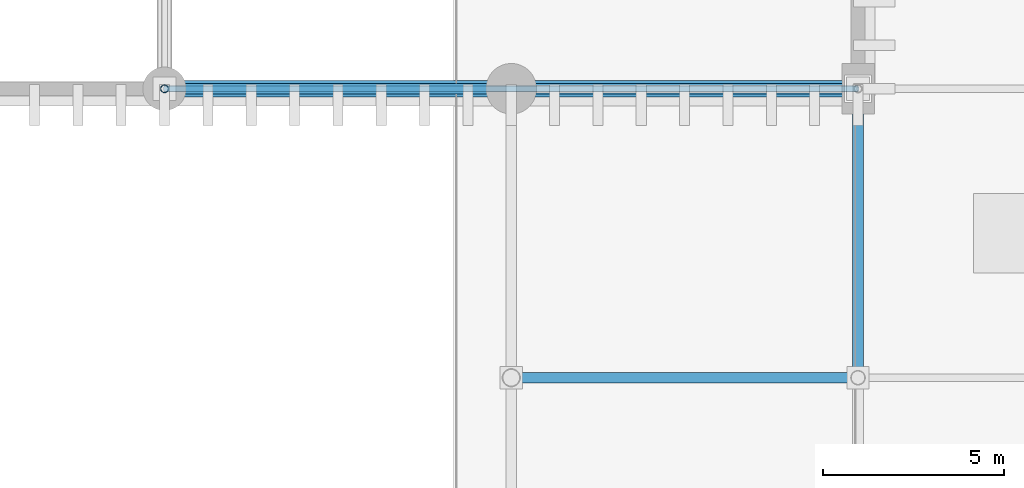
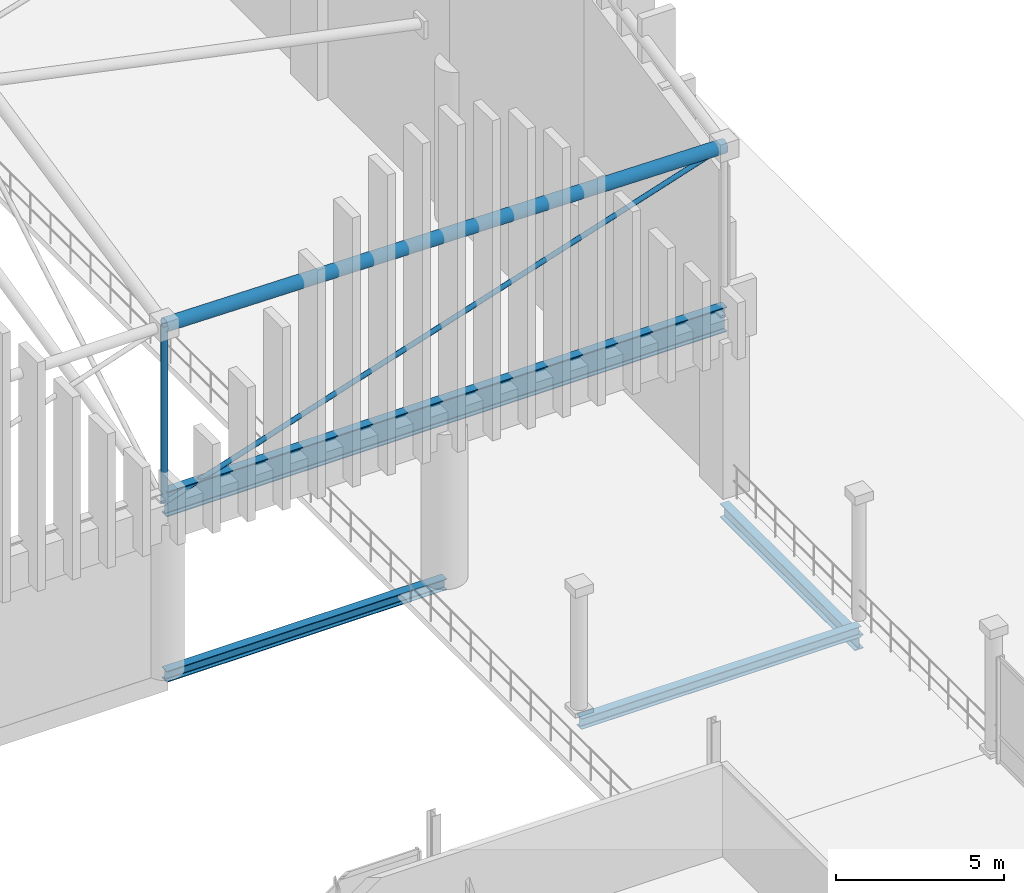
# One storey, part 46 of 193: 4 beams, 3 members.
"""IFC4 building model written with IfcOpenShell, lengths in metres."""

from ifc_helpers import new_model, si_unit, direction, frame, origin, origin_2d, place, context, subcontext, project, spatial, hollow_circle, i_section, extrude, material, material_profile, profile_set, type_object, element, save


model = new_model("IFC4")

# Units and contexts
model_context = context("Model", 3, precision=1e-05, world=origin(), true_north=direction((0.0, 1.0)))
body_context = subcontext(model_context, "Body", "Model", "MODEL_VIEW")
ifc_project = project(units=[si_unit("LENGTHUNIT", "METRE"), si_unit("AREAUNIT", "SQUARE_METRE"), si_unit("VOLUMEUNIT", "CUBIC_METRE"), si_unit("PLANEANGLEUNIT", "RADIAN"), si_unit("MASSUNIT", "GRAM", prefix="KILO")], contexts=[model_context])

# Site, building, storey
site_placement = place(None, origin())
site = spatial("IfcSite", under=ifc_project, at=site_placement, CompositionType="ELEMENT")
building_placement = place(site_placement, origin())
building = spatial("IfcBuilding", under=site, at=building_placement, Name="Danafjord Basin Convention Centre", CompositionType="ELEMENT")
storey_placement = place(building_placement, frame((0.0, 0.0, 11.39990234375)))
storey = spatial("IfcBuildingStorey", under=building, at=storey_placement, Name="L02", CompositionType="ELEMENT", Elevation=11.39990234375)

# Beams
ifc_material = material(Name="Steel S355", Category="steel")
ifc_material_profile_1 = material_profile(ifc_material, i_section(OverallWidth=0.300048828125, OverallDepth=0.389892578125, WebThickness=0.010986328125, FlangeThickness=0.01904296875, FilletRadius=0.027099609375, at=origin_2d()), Name="HEA 400")
ifc_profile_set_1 = profile_set([ifc_material_profile_1], Name="Steel S355")
beam_type_1 = type_object("IfcBeamType", Name="BEAM-BM-HEA400", PredefinedType="BEAM", material=ifc_profile_set_1)
beam_1_placement = place(storey_placement, frame((105.60009765625, 48.0, -0.4248046875), z_axis=(1.0, 0.0, 0.0), x_axis=(0.0, 1.0, 0.0)))
element("IfcBeam", 1, at=beam_1_placement, inside=storey, type_object=beam_type_1, Name="L02 girder BM-HEA400", PredefinedType="BEAM", context=body_context, shape_type="SweptSolid", body=[
    extrude(i_section(OverallWidth=0.300048828125, OverallDepth=0.389892578125, WebThickness=0.010986328125, FlangeThickness=0.01904296875, FilletRadius=0.027099609375, at=origin_2d()), origin(), (0.0, 0.0, 1.0), 9.599853515625),
])
ifc_material_profile_2 = material_profile(ifc_material, i_section(OverallWidth=0.300048828125, OverallDepth=0.5, WebThickness=0.014404296875, FlangeThickness=0.028076171875, FilletRadius=0.027099609375, at=origin_2d()), Name="HEB 500")
ifc_profile_set_2 = profile_set([ifc_material_profile_2], Name="Steel S355")
beam_type_2 = type_object("IfcBeamType", Name="BEAM-BM-HEB500", PredefinedType="BEAM", material=ifc_profile_set_2)
beam_2_placement = place(storey_placement, frame((115.199951171875, 48.0, -0.914794921875), z_axis=(0.0, 1.0, 0.0), x_axis=(-1.0, 0.0, 0.0)))
element("IfcBeam", 2, at=beam_2_placement, inside=storey, type_object=beam_type_2, Name="L02 transverse girder BM-HEB500", PredefinedType="BEAM", context=body_context, shape_type="SweptSolid", body=[
    extrude(i_section(OverallWidth=0.300048828125, OverallDepth=0.5, WebThickness=0.014404296875, FlangeThickness=0.028076171875, FilletRadius=0.027099609375, at=origin_2d()), origin(), (0.0, 0.0, 1.0), 8.0),
])
ifc_material_profile_3 = material_profile(ifc_material, i_section(OverallWidth=0.300048828125, OverallDepth=0.89990234375, WebThickness=0.0185546875, FlangeThickness=0.034912109375, FilletRadius=0.030029296875, at=origin_2d()), Name="HEB 900")
ifc_profile_set_3 = profile_set([ifc_material_profile_3], Name="Steel S355")
beam_type_3 = type_object("IfcBeamType", Name="BEAM-BM-HEB900", PredefinedType="BEAM", material=ifc_profile_set_3)
beam_3_placement = place(storey_placement, frame((96.0, 56.0, 6.050048828125), z_axis=(1.0, 0.0, 0.0), x_axis=(0.0, 1.0, 0.0)))
element("IfcBeam", 3, at=beam_3_placement, inside=storey, type_object=beam_type_3, Name="V1 space-frame perimeter ring girder", PredefinedType="BEAM", context=body_context, shape_type="SweptSolid", body=[
    extrude(i_section(OverallWidth=0.300048828125, OverallDepth=0.89990234375, WebThickness=0.0185546875, FlangeThickness=0.034912109375, FilletRadius=0.030029296875, at=origin_2d()), origin(), (0.0, 0.0, 1.0), 19.199951171875),
])
ifc_material_profile_4 = material_profile(ifc_material, i_section(OverallWidth=0.300048828125, OverallDepth=0.39990234375, WebThickness=0.013427734375, FlangeThickness=0.02392578125, FilletRadius=0.027099609375, at=origin_2d()), Name="HEB 400")
ifc_profile_set_4 = profile_set([ifc_material_profile_4], Name="Steel S355")
beam_type_4 = type_object("IfcBeamType", Name="BEAM-SP-HEB400", PredefinedType="SPANDREL", material=ifc_profile_set_4)
beam_4_placement = place(storey_placement, frame((96.0, 56.0, -0.199951171875), z_axis=(1.0, 0.0, 0.0), x_axis=(0.0, 1.0, 0.0)))
element("IfcBeam", 4, at=beam_4_placement, inside=storey, type_object=beam_type_4, Name="L02 girder SP-HEB400", PredefinedType="SPANDREL", context=body_context, shape_type="SweptSolid", body=[
    extrude(i_section(OverallWidth=0.300048828125, OverallDepth=0.39990234375, WebThickness=0.013427734375, FlangeThickness=0.02392578125, FilletRadius=0.027099609375, at=origin_2d()), origin(), (0.0, 0.0, 1.0), 9.60009765625),
])

# Members
ifc_material_profile_5 = material_profile(ifc_material, hollow_circle(Radius=0.228515625, WallThickness=0.02001953125, at=origin_2d()), Name="CHS 457.0x20.0")
ifc_profile_set_5 = profile_set([ifc_material_profile_5], Name="Steel S355")
member_type_1 = type_object("IfcMemberType", Name="MEM-CH-CHS457", PredefinedType="CHORD", material=ifc_profile_set_5)
member_1_placement = place(storey_placement, frame((96.0, 56.0, 12.47509765625), z_axis=(0.999931282566, 0.0, -0.011723060444), x_axis=(0.0, 1.0, 0.0)))
element("IfcMember", 5, at=member_1_placement, inside=storey, type_object=member_type_1, Name="V1 roof truss longitudinal top chord", PredefinedType="CHORD", context=body_context, shape_type="SweptSolid", body=[
    extrude(hollow_circle(Radius=0.228515625, WallThickness=0.02001953125, at=origin_2d()), origin(), (0.0, 0.0, 1.0), 19.201171875),
])
ifc_material_profile_6 = material_profile(ifc_material, hollow_circle(Radius=0.109619140625, WallThickness=0.010009765625, at=origin_2d()), Name="CHS 219.1x10.0")
ifc_profile_set_6 = profile_set([ifc_material_profile_6], Name="Steel S355")
member_type_2 = type_object("IfcMemberType", Name="MEM-ST-CHS219", PredefinedType="STRUT", material=ifc_profile_set_6)
member_2_placement = place(storey_placement, frame((96.0, 56.0, 6.050048828125), z_axis=(0.0, 0.0, 1.0), x_axis=(1.0, 0.0, 0.0)))
element("IfcMember", 6, at=member_2_placement, inside=storey, type_object=member_type_2, Name="V1 roof truss vertical strut", PredefinedType="STRUT", context=body_context, shape_type="SweptSolid", body=[
    extrude(hollow_circle(Radius=0.109619140625, WallThickness=0.010009765625, at=origin_2d()), origin(), (0.0, 0.0, 1.0), 6.425048828125),
])
ifc_material_profile_7 = material_profile(ifc_material, hollow_circle(Radius=0.084228515625, WallThickness=0.008056640625, at=origin_2d()), Name="CHS 168.3x8.0")
ifc_profile_set_7 = profile_set([ifc_material_profile_7], Name="Steel S355")
member_type_3 = type_object("IfcMemberType", Name="MEM-WB-CHS168", PredefinedType="MEMBER", material=ifc_profile_set_7)
member_3_placement = place(storey_placement, frame((96.0, 56.0, 6.050048828125), z_axis=(0.951615625356, 0.0, 0.307290907086), x_axis=(0.0, 1.0, 0.0)))
element("IfcMember", 7, at=member_3_placement, inside=storey, type_object=member_type_3, Name="V1 space-frame longitudinal web", PredefinedType="MEMBER", context=body_context, shape_type="SweptSolid", body=[
    extrude(hollow_circle(Radius=0.084228515625, WallThickness=0.008056640625, at=origin_2d()), origin(), (0.0, 0.0, 1.0), 20.17626953125),
])

save(model, "model.ifc")
